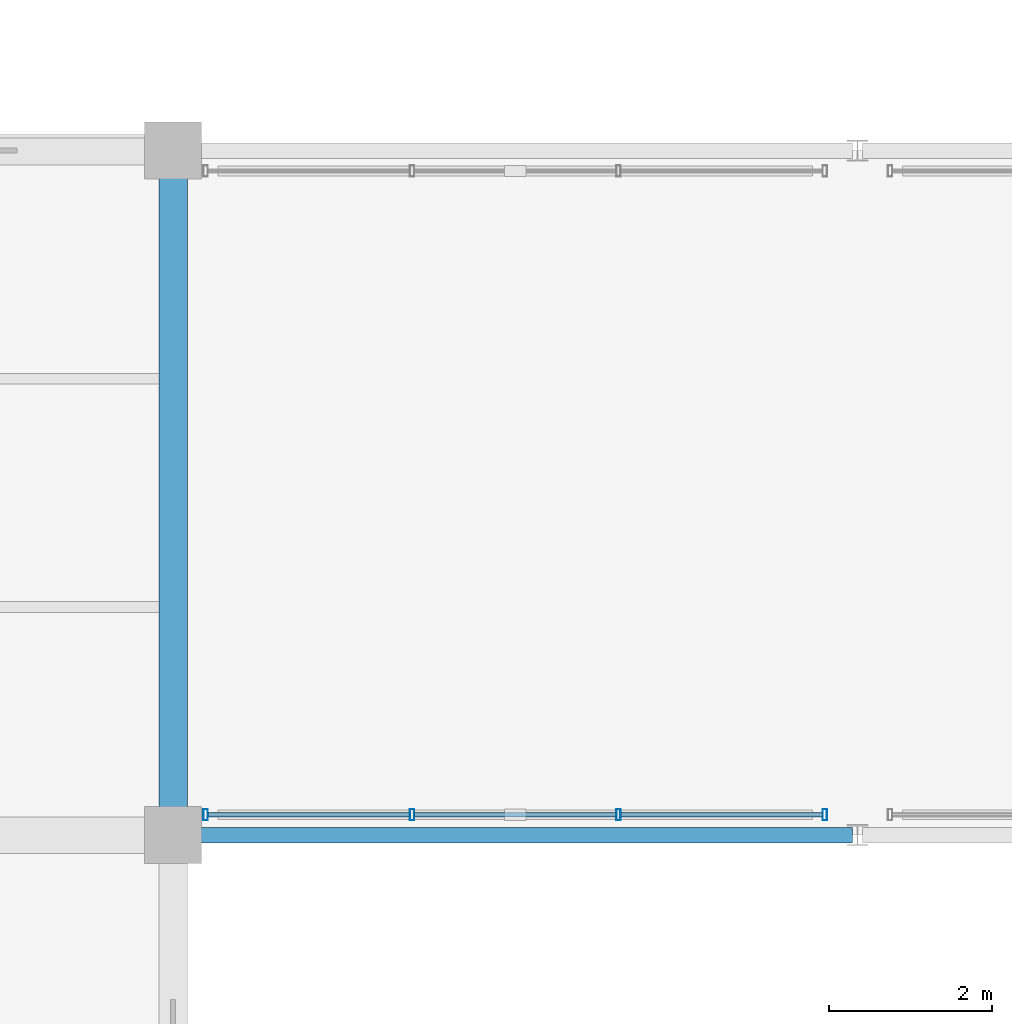
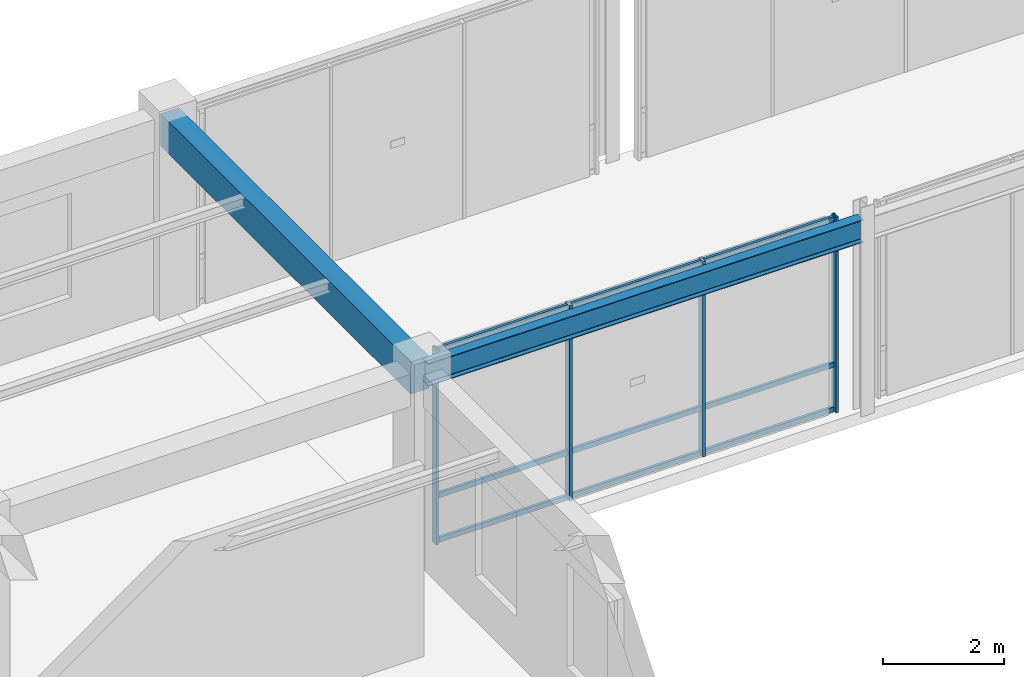
# One storey, part 25 of 152: 13 members, 2 beams, 1 element without a shape of its own.
"""IFC4 building model written with IfcOpenShell, lengths in metres."""

from ifc_helpers import new_model, si_unit, direction, frame, origin, origin_2d, place, context, subcontext, project, spatial, rectangle, hollow_rectangle, i_section, extrude, material, material_profile, profile_set, type_object, element, aggregate, save


model = new_model("IFC4")

# Units and contexts
model_context = context("Model", 3, precision=1e-05, world=origin(), true_north=direction((0.0, 1.0)))
body_context = subcontext(model_context, "Body", "Model", "MODEL_VIEW")
ifc_project = project(units=[si_unit("LENGTHUNIT", "METRE"), si_unit("AREAUNIT", "SQUARE_METRE"), si_unit("VOLUMEUNIT", "CUBIC_METRE"), si_unit("PLANEANGLEUNIT", "RADIAN"), si_unit("MASSUNIT", "GRAM", prefix="KILO"), si_unit("THERMODYNAMICTEMPERATUREUNIT", "KELVIN"), si_unit("POWERUNIT", "WATT")], contexts=[model_context])

# Site, building, storey
site_placement = place(None, origin())
site = spatial("IfcSite", under=ifc_project, at=site_placement, CompositionType="ELEMENT")
building_placement = place(site_placement, origin())
building = spatial("IfcBuilding", under=site, at=building_placement, Name="Darbajah Civic Hall", CompositionType="ELEMENT")
storey_placement = place(building_placement, frame((0.0, 0.0, 5.39990234375)))
storey = spatial("IfcBuildingStorey", under=building, at=storey_placement, Name="L01", CompositionType="ELEMENT", Elevation=5.39990234375)

# Curtain wall, members
ifc_material_1 = material(Name="Anodised Bronze Aluminium and Low-E Glazing", Category="aluminium")
curtain_wall_type = type_object("IfcCurtainWallType", Name="Unitised Curtain Wall CW-103 7600x3950", PredefinedType="USERDEFINED", material=ifc_material_1)
curtain_wall_placement = place(storey_placement, origin())
curtain_wall = element("IfcCurtainWall", 1, at=curtain_wall_placement, inside=storey, type_object=curtain_wall_type, Name="L01 unitised curtain wall CW-V6-SW-S-L01", ObjectType="UNITISED CURTAIN WALL", PredefinedType="USERDEFINED")
ifc_material_2 = material(Name="Anodised Bronze Aluminium", Category="aluminium")
ifc_material_profile_1 = material_profile(ifc_material_2, hollow_rectangle(XDim=0.054931640625, YDim=0.139892578125, WallThickness=0.003173828125, at=origin_2d()), Name="ALU MULLION 55x140")
ifc_profile_set_1 = profile_set([ifc_material_profile_1], Name="Anodised Bronze Aluminium")
member_type_1 = type_object("IfcMemberType", Name="ALU MULLION 55x140", PredefinedType="MULLION", material=ifc_profile_set_1)
member_1_placement = place(storey_placement, frame((67.60009765625, 33.85009765625, 0.0), z_axis=(0.0, 0.0, 1.0), x_axis=(1.0, 0.0, 0.0)))
member_1 = element("IfcMember", 2, at=member_1_placement, type_object=member_type_1, Name="CW-V6-SW-S-L01 mullion 1", PredefinedType="MULLION", context=body_context, shape_type="SweptSolid", body=[
    extrude(hollow_rectangle(XDim=0.054931640625, YDim=0.139892578125, WallThickness=0.003173828125, at=origin_2d()), origin(), (0.0, 0.0, 1.0), 3.93017578125),
])
member_2_placement = place(storey_placement, frame((70.13330078125, 33.85009765625, 0.0), z_axis=(0.0, 0.0, 1.0), x_axis=(1.0, 0.0, 0.0)))
member_2 = element("IfcMember", 3, at=member_2_placement, type_object=member_type_1, Name="CW-V6-SW-S-L01 mullion 2", PredefinedType="MULLION", context=body_context, shape_type="SweptSolid", body=[
    extrude(hollow_rectangle(XDim=0.054931640625, YDim=0.139892578125, WallThickness=0.003173828125, at=origin_2d()), origin(), (0.0, 0.0, 1.0), 3.93017578125),
])
member_3_placement = place(storey_placement, frame((72.666748046875, 33.85009765625, 0.0), z_axis=(0.0, 0.0, 1.0), x_axis=(1.0, 0.0, 0.0)))
member_3 = element("IfcMember", 4, at=member_3_placement, type_object=member_type_1, Name="CW-V6-SW-S-L01 mullion 3", PredefinedType="MULLION", context=body_context, shape_type="SweptSolid", body=[
    extrude(hollow_rectangle(XDim=0.054931640625, YDim=0.139892578125, WallThickness=0.003173828125, at=origin_2d()), origin(), (0.0, 0.0, 1.0), 3.93017578125),
])
member_4_placement = place(storey_placement, frame((75.199951171875, 33.85009765625, 0.0), z_axis=(0.0, 0.0, 1.0), x_axis=(1.0, 0.0, 0.0)))
member_4 = element("IfcMember", 5, at=member_4_placement, type_object=member_type_1, Name="CW-V6-SW-S-L01 mullion 4", PredefinedType="MULLION", context=body_context, shape_type="SweptSolid", body=[
    extrude(hollow_rectangle(XDim=0.054931640625, YDim=0.139892578125, WallThickness=0.003173828125, at=origin_2d()), origin(), (0.0, 0.0, 1.0), 3.93017578125),
])
ifc_material_profile_2 = material_profile(ifc_material_2, hollow_rectangle(XDim=0.054931640625, YDim=0.10009765625, WallThickness=0.0029296875, at=origin_2d()), Name="ALU TRANSOM 55x100")
ifc_profile_set_2 = profile_set([ifc_material_profile_2], Name="Anodised Bronze Aluminium")
member_type_2 = type_object("IfcMemberType", Name="ALU TRANSOM 55x100", PredefinedType="USERDEFINED", material=ifc_profile_set_2)
member_5_placement = place(storey_placement, frame((67.632568359375, 33.85009765625, 0.050048828125), z_axis=(1.0, 0.0, 0.0), x_axis=(0.0, 1.0, 0.0)))
member_5 = element("IfcMember", 6, at=member_5_placement, type_object=member_type_2, Name="CW-V6-SW-S-L01 transom 1.1", ObjectType="TRANSOM", PredefinedType="USERDEFINED", context=body_context, shape_type="SweptSolid", body=[
    extrude(hollow_rectangle(XDim=0.054931640625, YDim=0.10009765625, WallThickness=0.0029296875, at=origin_2d()), origin(), (0.0, 0.0, 1.0), 2.46826171875),
])
member_6_placement = place(storey_placement, frame((67.632568359375, 33.85009765625, 0.9501953125), z_axis=(1.0, 0.0, 0.0), x_axis=(0.0, 1.0, 0.0)))
member_6 = element("IfcMember", 7, at=member_6_placement, type_object=member_type_2, Name="CW-V6-SW-S-L01 transom 1.2", ObjectType="TRANSOM", PredefinedType="USERDEFINED", context=body_context, shape_type="SweptSolid", body=[
    extrude(hollow_rectangle(XDim=0.054931640625, YDim=0.10009765625, WallThickness=0.0029296875, at=origin_2d()), origin(), (0.0, 0.0, 1.0), 2.46826171875),
])
member_7_placement = place(storey_placement, frame((67.632568359375, 33.85009765625, 3.880126953125), z_axis=(1.0, 0.0, 0.0), x_axis=(0.0, 1.0, 0.0)))
member_7 = element("IfcMember", 8, at=member_7_placement, type_object=member_type_2, Name="CW-V6-SW-S-L01 transom 1.3", ObjectType="TRANSOM", PredefinedType="USERDEFINED", context=body_context, shape_type="SweptSolid", body=[
    extrude(hollow_rectangle(XDim=0.054931640625, YDim=0.10009765625, WallThickness=0.0029296875, at=origin_2d()), origin(), (0.0, 0.0, 1.0), 2.46826171875),
])
member_8_placement = place(storey_placement, frame((70.165771484375, 33.85009765625, 0.050048828125), z_axis=(1.0, 0.0, 0.0), x_axis=(0.0, 1.0, 0.0)))
member_8 = element("IfcMember", 9, at=member_8_placement, type_object=member_type_2, Name="CW-V6-SW-S-L01 transom 2.1", ObjectType="TRANSOM", PredefinedType="USERDEFINED", context=body_context, shape_type="SweptSolid", body=[
    extrude(hollow_rectangle(XDim=0.054931640625, YDim=0.10009765625, WallThickness=0.0029296875, at=origin_2d()), origin(), (0.0, 0.0, 1.0), 2.468505859375),
])
member_9_placement = place(storey_placement, frame((70.165771484375, 33.85009765625, 0.9501953125), z_axis=(1.0, 0.0, 0.0), x_axis=(0.0, 1.0, 0.0)))
member_9 = element("IfcMember", 10, at=member_9_placement, type_object=member_type_2, Name="CW-V6-SW-S-L01 transom 2.2", ObjectType="TRANSOM", PredefinedType="USERDEFINED", context=body_context, shape_type="SweptSolid", body=[
    extrude(hollow_rectangle(XDim=0.054931640625, YDim=0.10009765625, WallThickness=0.0029296875, at=origin_2d()), origin(), (0.0, 0.0, 1.0), 2.468505859375),
])
member_10_placement = place(storey_placement, frame((70.165771484375, 33.85009765625, 3.880126953125), z_axis=(1.0, 0.0, 0.0), x_axis=(0.0, 1.0, 0.0)))
member_10 = element("IfcMember", 11, at=member_10_placement, type_object=member_type_2, Name="CW-V6-SW-S-L01 transom 2.3", ObjectType="TRANSOM", PredefinedType="USERDEFINED", context=body_context, shape_type="SweptSolid", body=[
    extrude(hollow_rectangle(XDim=0.054931640625, YDim=0.10009765625, WallThickness=0.0029296875, at=origin_2d()), origin(), (0.0, 0.0, 1.0), 2.468505859375),
])
member_11_placement = place(storey_placement, frame((72.69921875, 33.85009765625, 0.050048828125), z_axis=(1.0, 0.0, 0.0), x_axis=(0.0, 1.0, 0.0)))
member_11 = element("IfcMember", 12, at=member_11_placement, type_object=member_type_2, Name="CW-V6-SW-S-L01 transom 3.1", ObjectType="TRANSOM", PredefinedType="USERDEFINED", context=body_context, shape_type="SweptSolid", body=[
    extrude(hollow_rectangle(XDim=0.054931640625, YDim=0.10009765625, WallThickness=0.0029296875, at=origin_2d()), origin(), (0.0, 0.0, 1.0), 2.46826171875),
])
member_12_placement = place(storey_placement, frame((72.69921875, 33.85009765625, 0.9501953125), z_axis=(1.0, 0.0, 0.0), x_axis=(0.0, 1.0, 0.0)))
member_12 = element("IfcMember", 13, at=member_12_placement, type_object=member_type_2, Name="CW-V6-SW-S-L01 transom 3.2", ObjectType="TRANSOM", PredefinedType="USERDEFINED", context=body_context, shape_type="SweptSolid", body=[
    extrude(hollow_rectangle(XDim=0.054931640625, YDim=0.10009765625, WallThickness=0.0029296875, at=origin_2d()), origin(), (0.0, 0.0, 1.0), 2.46826171875),
])
member_13_placement = place(storey_placement, frame((72.69921875, 33.85009765625, 3.880126953125), z_axis=(1.0, 0.0, 0.0), x_axis=(0.0, 1.0, 0.0)))
member_13 = element("IfcMember", 14, at=member_13_placement, type_object=member_type_2, Name="CW-V6-SW-S-L01 transom 3.3", ObjectType="TRANSOM", PredefinedType="USERDEFINED", context=body_context, shape_type="SweptSolid", body=[
    extrude(hollow_rectangle(XDim=0.054931640625, YDim=0.10009765625, WallThickness=0.0029296875, at=origin_2d()), origin(), (0.0, 0.0, 1.0), 2.46826171875),
])
aggregate(curtain_wall, [member_1, member_2, member_3, member_4, member_5, member_6, member_7, member_8, member_9, member_10, member_11, member_12, member_13])

# Beams
ifc_material_3 = material(Name="Concrete C45/55", Category="concrete")
ifc_material_profile_3 = material_profile(ifc_material_3, rectangle(XDim=0.35009765625, YDim=0.64990234375, at=origin_2d()), Name="RC SPANDREL 350x650")
ifc_profile_set_3 = profile_set([ifc_material_profile_3], Name="Concrete C45/55")
beam_type_1 = type_object("IfcBeamType", Name="RC SPANDREL 350x650", PredefinedType="SPANDREL", material=ifc_profile_set_3)
beam_1_placement = place(storey_placement, frame((67.199951171875, 33.679931640625, 3.614990234375), z_axis=(0.0, 1.0, 0.0), x_axis=(-1.0, 0.0, 0.0)))
element("IfcBeam", 15, at=beam_1_placement, inside=storey, type_object=beam_type_1, Name="L01 beam SP-3565", PredefinedType="SPANDREL", context=body_context, shape_type="SweptSolid", body=[
    extrude(rectangle(XDim=0.35009765625, YDim=0.64990234375, at=origin_2d()), origin(), (0.0, 0.0, 1.0), 8.239990234375),
])
ifc_material_4 = material(Name="Steel S355JR", Category="steel")
ifc_material_profile_4 = material_profile(ifc_material_4, i_section(OverallWidth=0.1904296875, OverallDepth=0.45703125, WebThickness=0.009033203125, FlangeThickness=0.014404296875, FilletRadius=0.01025390625, at=origin_2d()), Name="UB 457x191x74")
ifc_profile_set_4 = profile_set([ifc_material_profile_4], Name="Steel S355JR")
beam_type_2 = type_object("IfcBeamType", Name="UB 457x191x74", PredefinedType="BEAM", material=ifc_profile_set_4)
beam_2_placement = place(storey_placement, frame((67.260009765625, 33.60009765625, 3.70166015625), z_axis=(1.0, 0.0, 0.0), x_axis=(0.0, 1.0, 0.0)))
element("IfcBeam", 16, at=beam_2_placement, inside=storey, type_object=beam_type_2, Name="L01 beam SB-457", PredefinedType="BEAM", context=body_context, shape_type="SweptSolid", body=[
    extrude(i_section(OverallWidth=0.1904296875, OverallDepth=0.45703125, WebThickness=0.009033203125, FlangeThickness=0.014404296875, FilletRadius=0.01025390625, at=origin_2d()), origin(), (0.0, 0.0, 1.0), 8.280029296875),
])

save(model, "model.ifc")
